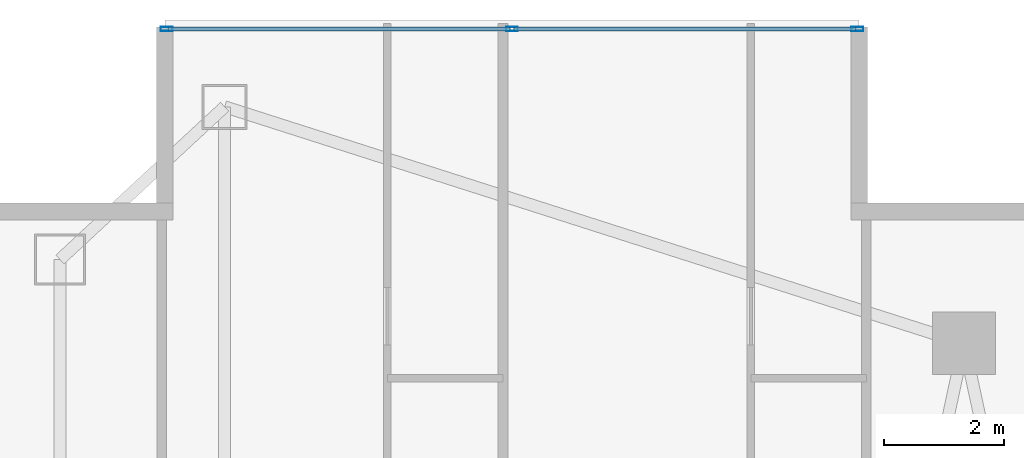
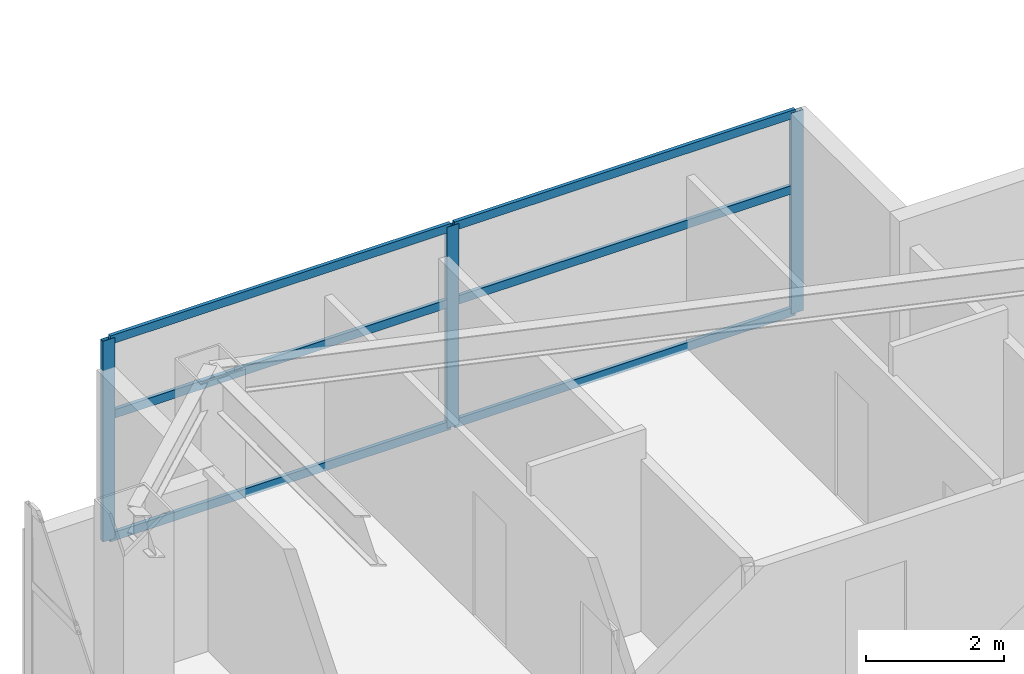
# One storey, part 19 of 28: 9 members, 1 element without a shape of its own.
"""IFC4 building model written with IfcOpenShell, lengths in metres."""

from ifc_helpers import new_model, si_unit, direction, frame, origin, origin_2d, place, context, subcontext, project, spatial, hollow_rectangle, extrude, material, layer, layer_set, material_profile, profile_set, type_object, element, aggregate, save


model = new_model("IFC4")

# Units and contexts
model_context = context("Model", 3, precision=1e-05, world=origin(), true_north=direction((0.0, 1.0)))
body_context = subcontext(model_context, "Body", "Model", "MODEL_VIEW")
ifc_project = project(units=[si_unit("LENGTHUNIT", "METRE"), si_unit("AREAUNIT", "SQUARE_METRE"), si_unit("VOLUMEUNIT", "CUBIC_METRE"), si_unit("PLANEANGLEUNIT", "RADIAN"), si_unit("MASSUNIT", "GRAM", prefix="KILO")], contexts=[model_context])

# Site, building, storey
site_placement = place(None, origin())
site = spatial("IfcSite", under=ifc_project, at=site_placement, CompositionType="ELEMENT")
building_placement = place(site_placement, origin())
building = spatial("IfcBuilding", under=site, at=building_placement, Name="Calvorn Quay Hotel", CompositionType="ELEMENT")
storey_placement = place(building_placement, frame((0.0, 0.0, 152.300048828125)))
storey = spatial("IfcBuildingStorey", under=building, at=storey_placement, Name="L37", CompositionType="ELEMENT", Elevation=152.300048828125)

# Curtain wall, members
ifc_material_1 = material(Name="Pale Anodised Aluminium and Low-E Glass", Category="aluminium")
ifc_layer = layer(ifc_material_1, 0.219970703125)
ifc_layer_set = layer_set([ifc_layer], Name="CW-SYS-Z2")
curtain_wall_type = type_object("IfcCurtainWallType", Name="CW-SYS-Z2", PredefinedType="NOTDEFINED", material=ifc_layer_set)
curtain_wall_placement = place(storey_placement, origin())
curtain_wall = element("IfcCurtainWall", 1, at=curtain_wall_placement, inside=storey, type_object=curtain_wall_type, Name="Inner Court Curtain Wall L37-N1", PredefinedType="NOTDEFINED")
ifc_material_2 = material(Name="Pale Anodised Aluminium 6063-T6", Category="aluminium")
ifc_material_profile_1 = material_profile(ifc_material_2, hollow_rectangle(XDim=0.070068359375, YDim=0.199951171875, WallThickness=0.00390625, at=origin_2d()), Name="ALU-M200x70x4")
ifc_profile_set_1 = profile_set([ifc_material_profile_1], Name="Pale Anodised Aluminium 6063-T6")
member_type_1 = type_object("IfcMemberType", Name="CW-SYS-Z2-MUL", PredefinedType="MULLION", material=ifc_profile_set_1)
member_1_placement = place(storey_placement, frame((14.77001953125, 50.85009765625, 0.0), z_axis=(0.0, 0.0, 1.0), x_axis=(0.0, -1.0, 0.0)))
member_1 = element("IfcMember", 2, at=member_1_placement, type_object=member_type_1, Name="CW-L37-N1 mullion 1", PredefinedType="MULLION", context=body_context, shape_type="SweptSolid", body=[
    extrude(hollow_rectangle(XDim=0.070068359375, YDim=0.199951171875, WallThickness=0.00390625, at=origin_2d()), origin(), (0.0, 0.0, 1.0), 3.56005859375),
])
member_2_placement = place(storey_placement, frame((9.0, 50.85009765625, 0.0), z_axis=(0.0, 0.0, 1.0), x_axis=(0.0, -1.0, 0.0)))
member_2 = element("IfcMember", 3, at=member_2_placement, type_object=member_type_1, Name="CW-L37-N1 mullion 2", PredefinedType="MULLION", context=body_context, shape_type="SweptSolid", body=[
    extrude(hollow_rectangle(XDim=0.070068359375, YDim=0.199951171875, WallThickness=0.00390625, at=origin_2d()), origin(), (0.0, 0.0, 1.0), 3.56005859375),
])
member_3_placement = place(storey_placement, frame((3.22998046875, 50.85009765625, 0.0), z_axis=(0.0, 0.0, 1.0), x_axis=(0.0, -1.0, 0.0)))
member_3 = element("IfcMember", 4, at=member_3_placement, type_object=member_type_1, Name="CW-L37-N1 mullion 3", PredefinedType="MULLION", context=body_context, shape_type="SweptSolid", body=[
    extrude(hollow_rectangle(XDim=0.070068359375, YDim=0.199951171875, WallThickness=0.00390625, at=origin_2d()), origin(), (0.0, 0.0, 1.0), 3.56005859375),
])
ifc_material_3 = material(Name="Pale Anodised Aluminium 6063-T6", Category="aluminium")
ifc_material_profile_2 = material_profile(ifc_material_3, hollow_rectangle(XDim=0.06005859375, YDim=0.14990234375, WallThickness=0.00341796875, at=origin_2d()), Name="ALU-T150x60x3.5")
ifc_profile_set_2 = profile_set([ifc_material_profile_2], Name="Pale Anodised Aluminium 6063-T6")
member_type_2 = type_object("IfcMemberType", Name="CW-SYS-Z2-TRN", PredefinedType="USERDEFINED", material=ifc_profile_set_2)
member_4_placement = place(storey_placement, frame((14.739990234375, 50.85009765625, 0.030029296875), z_axis=(-1.0, 0.0, 0.0), x_axis=(0.0, -1.0, 0.0)))
member_4 = element("IfcMember", 5, at=member_4_placement, type_object=member_type_2, Name="CW-L37-N1 transom 1.1", ObjectType="TRANSOM", PredefinedType="USERDEFINED", context=body_context, shape_type="SweptSolid", body=[
    extrude(hollow_rectangle(XDim=0.06005859375, YDim=0.14990234375, WallThickness=0.00341796875, at=origin_2d()), origin(), (0.0, 0.0, 1.0), 5.7099609375),
])
member_5_placement = place(storey_placement, frame((14.739990234375, 50.85009765625, 2.199951171875), z_axis=(-1.0, 0.0, 0.0), x_axis=(0.0, -1.0, 0.0)))
member_5 = element("IfcMember", 6, at=member_5_placement, type_object=member_type_2, Name="CW-L37-N1 transom 1.2", ObjectType="TRANSOM", PredefinedType="USERDEFINED", context=body_context, shape_type="SweptSolid", body=[
    extrude(hollow_rectangle(XDim=0.06005859375, YDim=0.14990234375, WallThickness=0.00341796875, at=origin_2d()), origin(), (0.0, 0.0, 1.0), 5.7099609375),
])
member_6_placement = place(storey_placement, frame((14.739990234375, 50.85009765625, 3.530029296875), z_axis=(-1.0, 0.0, 0.0), x_axis=(0.0, -1.0, 0.0)))
member_6 = element("IfcMember", 7, at=member_6_placement, type_object=member_type_2, Name="CW-L37-N1 transom 1.3", ObjectType="TRANSOM", PredefinedType="USERDEFINED", context=body_context, shape_type="SweptSolid", body=[
    extrude(hollow_rectangle(XDim=0.06005859375, YDim=0.14990234375, WallThickness=0.00341796875, at=origin_2d()), origin(), (0.0, 0.0, 1.0), 5.7099609375),
])
member_7_placement = place(storey_placement, frame((8.969970703125, 50.85009765625, 0.030029296875), z_axis=(-1.0, 0.0, 0.0), x_axis=(0.0, -1.0, 0.0)))
member_7 = element("IfcMember", 8, at=member_7_placement, type_object=member_type_2, Name="CW-L37-N1 transom 2.1", ObjectType="TRANSOM", PredefinedType="USERDEFINED", context=body_context, shape_type="SweptSolid", body=[
    extrude(hollow_rectangle(XDim=0.06005859375, YDim=0.14990234375, WallThickness=0.00341796875, at=origin_2d()), origin(), (0.0, 0.0, 1.0), 5.7099609375),
])
member_8_placement = place(storey_placement, frame((8.969970703125, 50.85009765625, 2.199951171875), z_axis=(-1.0, 0.0, 0.0), x_axis=(0.0, -1.0, 0.0)))
member_8 = element("IfcMember", 9, at=member_8_placement, type_object=member_type_2, Name="CW-L37-N1 transom 2.2", ObjectType="TRANSOM", PredefinedType="USERDEFINED", context=body_context, shape_type="SweptSolid", body=[
    extrude(hollow_rectangle(XDim=0.06005859375, YDim=0.14990234375, WallThickness=0.00341796875, at=origin_2d()), origin(), (0.0, 0.0, 1.0), 5.7099609375),
])
member_9_placement = place(storey_placement, frame((8.969970703125, 50.85009765625, 3.530029296875), z_axis=(-1.0, 0.0, 0.0), x_axis=(0.0, -1.0, 0.0)))
member_9 = element("IfcMember", 10, at=member_9_placement, type_object=member_type_2, Name="CW-L37-N1 transom 2.3", ObjectType="TRANSOM", PredefinedType="USERDEFINED", context=body_context, shape_type="SweptSolid", body=[
    extrude(hollow_rectangle(XDim=0.06005859375, YDim=0.14990234375, WallThickness=0.00341796875, at=origin_2d()), origin(), (0.0, 0.0, 1.0), 5.7099609375),
])
aggregate(curtain_wall, [member_1, member_2, member_3, member_4, member_5, member_6, member_7, member_8, member_9])

save(model, "model.ifc")
